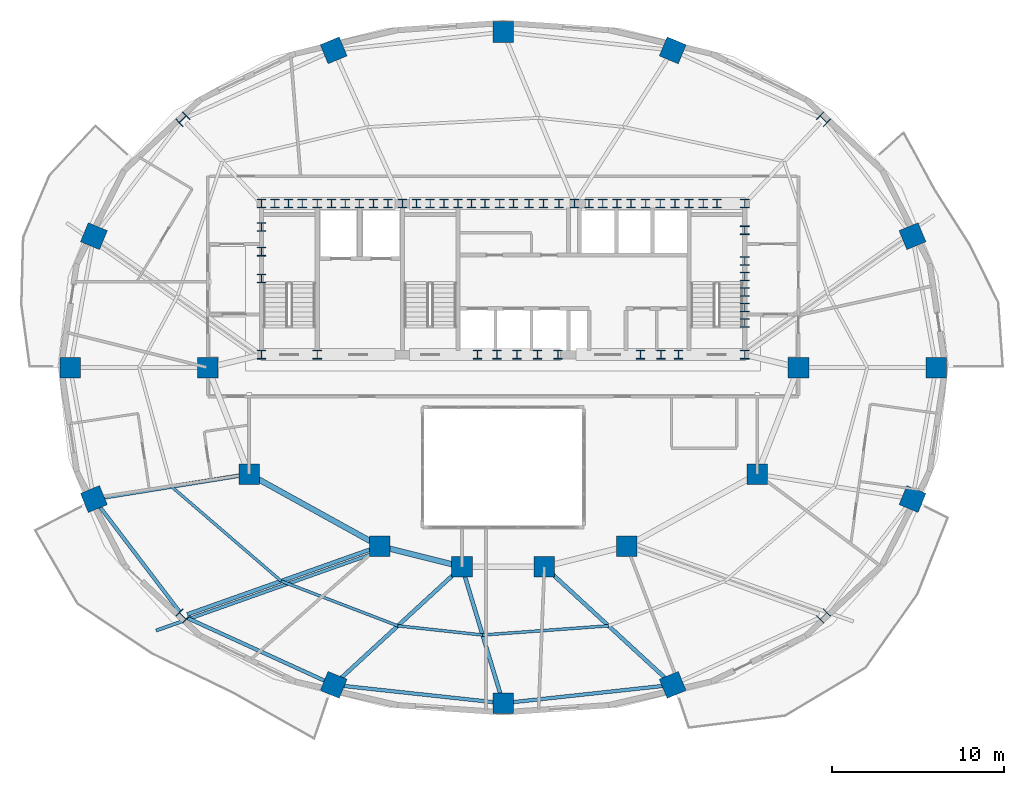
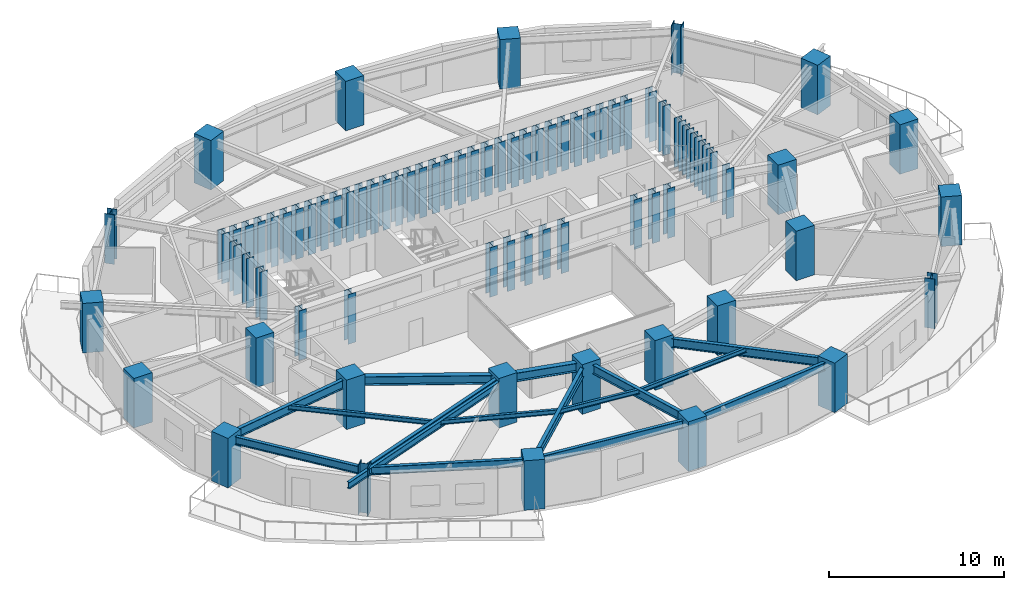
# One storey, part 1 of 12: 78 columns, 16 beams.
"""IFC4 building model written with IfcOpenShell, lengths in metres."""

import ifcopenshell
import ifcopenshell.guid

model = None  # the IFC model being written
_history = None  # IfcOwnerHistory: only IFC2X3 demands one
_inside = {}  # id of a spatial element -> (the spatial element, [elements in it])
_under = {}  # id of a project, library or spatial element -> (it, [spatial elements below it])
_declared = {}  # id of a project -> (the project, [libraries it declares])
_typed = {}  # id of a type object -> (the type object, [elements of that type])
_made_of = {}  # id of a material, layer set ... -> (it, [elements and type objects made of it])


def new_model(schema):
    """Start an empty IFC model of exactly this schema.

    Asked for "IFC4X3", IfcOpenShell would pick the latest addendum, in which some entities
    have other attributes; the version numbers below select the first issue.
    IFC2X3 requires an IfcOwnerHistory on every rooted entity: one is made here for all.
    """
    global model, _history
    if schema == "IFC4X3":
        model = ifcopenshell.file(schema_version=(4, 3, 0, 0))
    else:
        model = ifcopenshell.file(schema=schema)
    _inside.clear()
    _under.clear()
    _declared.clear()
    _typed.clear()
    _made_of.clear()
    _history = None
    if model.schema == "IFC2X3":
        org = make("IfcOrganization", Name="unknown")
        user = make(
            "IfcPersonAndOrganization",
            ThePerson=make("IfcPerson", FamilyName="unknown"),
            TheOrganization=org,
        )
        app = make(
            "IfcApplication",
            ApplicationDeveloper=org,
            Version="unknown",
            ApplicationFullName="unknown",
            ApplicationIdentifier="unknown",
        )
        _history = make(
            "IfcOwnerHistory",
            OwningUser=user,
            OwningApplication=app,
            ChangeAction="ADDED",
            CreationDate=0,
        )
    return model


def make(cls, **values):
    """One entity of the class cls with the attributes given. An attribute that is None is left unset."""
    return model.create_entity(
        cls, **{name: value for name, value in values.items() if value is not None}
    )


def rooted(cls, **values):
    """An entity with a GlobalId (a new one), such as an element, a storey or a relation."""
    return make(cls, GlobalId=ifcopenshell.guid.new(), OwnerHistory=_history, **values)


def si_unit(unit_type, name, prefix=None):
    """IfcSIUnit, for example si_unit("LENGTHUNIT", "METRE", prefix="MILLI")."""
    return make("IfcSIUnit", UnitType=unit_type, Prefix=prefix, Name=name)


def assignment(units):
    """IfcUnitAssignment: the units of a project."""
    return None if units is None else make("IfcUnitAssignment", Units=units)


def point(xyz):
    """IfcCartesianPoint."""
    return None if xyz is None else make("IfcCartesianPoint", Coordinates=xyz)


def direction(xyz):
    """IfcDirection."""
    return None if xyz is None else make("IfcDirection", DirectionRatios=xyz)


def frame(location, z_axis=None, x_axis=None):
    """IfcAxis2Placement3D, a coordinate frame: its origin and axes. An axis left out is left unset."""
    return make(
        "IfcAxis2Placement3D",
        Location=point(location),
        Axis=direction(z_axis),
        RefDirection=direction(x_axis),
    )


def frame_2d(location, x_axis=None):
    """IfcAxis2Placement2D, a coordinate frame in the plane: its origin and x axis."""
    return make(
        "IfcAxis2Placement2D", Location=point(location), RefDirection=direction(x_axis)
    )


def origin():
    """The frame at (0, 0, 0) with its axes left unset."""
    return frame((0.0, 0.0, 0.0))


def origin_2d():
    """The frame at (0, 0) in the plane with its x axis left unset."""
    return frame_2d((0.0, 0.0))


def place(relative_to, where):
    """IfcLocalPlacement: puts the frame where relative to a parent placement (None: the world)."""
    return make(
        "IfcLocalPlacement", PlacementRelTo=relative_to, RelativePlacement=where
    )


def context(
    kind, dimensions, precision=None, world=None, true_north=None, identifier=None
):
    """IfcGeometricRepresentationContext, for example the 3D "Model" context."""
    return make(
        "IfcGeometricRepresentationContext",
        ContextIdentifier=identifier,
        ContextType=kind,
        CoordinateSpaceDimension=dimensions,
        Precision=precision,
        WorldCoordinateSystem=world,
        TrueNorth=true_north,
    )


def subcontext(parent, identifier, kind, view, scale=None):
    """IfcGeometricRepresentationSubContext, for example "Body" below "Model"."""
    return make(
        "IfcGeometricRepresentationSubContext",
        ContextIdentifier=identifier,
        ContextType=kind,
        ParentContext=parent,
        TargetScale=scale,
        TargetView=view,
    )


def project(units=None, contexts=None):
    """IfcProject with its units and contexts."""
    return rooted(
        "IfcProject",
        Name="project",
        RepresentationContexts=contexts,
        UnitsInContext=assignment(units),
    )


def spatial(cls, under=None, at=None, **own):
    """A site, building, storey or space (cls), placed at a placement, below another one or the project."""
    s = rooted(cls, ObjectPlacement=at, **own)
    if under is not None:
        _under.setdefault(under.id(), (under, []))[1].append(s)
    return s


def profile(cls, at=None, kind="AREA", **sizes):
    """A parametric profile (cls). Its sizes go by their IFC names, for example OverallWidth=200.0."""
    return make(cls, ProfileType=kind, Position=at, **sizes)


def rectangle(**sizes):
    """IfcRectangleProfileDef."""
    return profile("IfcRectangleProfileDef", **sizes)


def i_section(**sizes):
    """IfcIShapeProfileDef."""
    return profile("IfcIShapeProfileDef", **sizes)


def extrude(swept, where, along, depth):
    """IfcExtrudedAreaSolid: the profile swept, set in the frame where, extruded along a direction by depth."""
    return make(
        "IfcExtrudedAreaSolid",
        SweptArea=swept,
        Position=where,
        ExtrudedDirection=direction(along),
        Depth=depth,
    )


def shape(context_of_items, identifier, shape_type, items):
    """IfcShapeRepresentation: the items that make up one representation, for example the "Body"."""
    return make(
        "IfcShapeRepresentation",
        ContextOfItems=context_of_items,
        RepresentationIdentifier=identifier,
        RepresentationType=shape_type,
        Items=items,
    )


def material(Name=None, Category=None):
    """IfcMaterial."""
    return make("IfcMaterial", Name=Name, Category=Category)


def material_profile(
    of_material, cross_section, Name=None, Category=None, Priority=None
):
    """IfcMaterialProfile: a cross section and its material."""
    return make(
        "IfcMaterialProfile",
        Name=Name,
        Material=of_material,
        Profile=cross_section,
        Priority=Priority,
        Category=Category,
    )


def profile_set(profiles, Name=None, composite=None):
    """IfcMaterialProfileSet."""
    return make(
        "IfcMaterialProfileSet",
        Name=Name,
        MaterialProfiles=profiles,
        CompositeProfile=composite,
    )


def made_of(thing, what):
    """Note that an element or type object is made of a material, layer set ...; save() writes the relation."""
    if what is not None:
        _made_of.setdefault(what.id(), (what, []))[1].append(thing)
    return thing


def type_object(cls, material=None, **own):
    """A type object (cls), such as IfcWallType, which elements share."""
    return made_of(rooted(cls, **own), material)


def element(
    cls,
    number,
    at=None,
    inside=None,
    cuts=None,
    type_object=None,
    material=None,
    context=None,
    identifier="Body",
    shape_type=None,
    held_by="IfcProductDefinitionShape",
    body=None,
    shapes=None,
    **own,
):
    """One element of the class cls, such as IfcWall. Its Tag is "e" and its number.

    at: its placement. inside: the storey or other place that contains it. cuts: it is an
    opening in that element (IfcRelVoidsElement). A single representation is given by context,
    identifier, shape_type and body (its items); several are given by shapes. held_by: the class
    of the entity that holds the representations. save() writes the other relations.
    """
    e = rooted(cls, Tag="e%d" % number, ObjectPlacement=at, **own)
    if body is not None:
        shapes = [shape(context, identifier, shape_type, body)]
    if shapes is not None:
        e.Representation = make(held_by, Representations=shapes)
    if inside is not None:
        _inside.setdefault(inside.id(), (inside, []))[1].append(e)
    if cuts is not None:
        rooted(
            "IfcRelVoidsElement", RelatingBuildingElement=cuts, RelatedOpeningElement=e
        )
    if type_object is not None:
        _typed.setdefault(type_object.id(), (type_object, []))[1].append(e)
    return made_of(e, material)


def aggregate(whole, parts):
    """IfcRelAggregates: a whole, such as a stair, and the parts it consists of."""
    return rooted("IfcRelAggregates", RelatingObject=whole, RelatedObjects=parts)


def save(model, path):
    """Write the relations noted so far, then the file.

    IfcRelAggregates (storeys below a building ...), IfcRelContainedInSpatialStructure (elements
    in a storey), IfcRelDefinesByType, IfcRelAssociatesMaterial and IfcRelDeclares: one each for
    every whole, place, type object, material and project.
    """
    for whole, parts in _under.values():
        aggregate(whole, parts)
    for where, things in _inside.values():
        rooted(
            "IfcRelContainedInSpatialStructure",
            RelatedElements=things,
            RelatingStructure=where,
        )
    for kind, things in _typed.values():
        rooted("IfcRelDefinesByType", RelatedObjects=things, RelatingType=kind)
    for what, things in _made_of.values():
        rooted("IfcRelAssociatesMaterial", RelatedObjects=things, RelatingMaterial=what)
    for by, libraries in _declared.values():
        rooted("IfcRelDeclares", RelatingContext=by, RelatedDefinitions=libraries)
    model.write(path)


model = new_model("IFC4")

# Units and contexts
model_context = context("Model", 3, precision=1e-05, world=origin(), true_north=direction((0.0, 1.0)))
body_context = subcontext(model_context, "Body", "Model", "MODEL_VIEW")
ifc_project = project(units=[si_unit("LENGTHUNIT", "METRE"), si_unit("AREAUNIT", "SQUARE_METRE"), si_unit("VOLUMEUNIT", "CUBIC_METRE"), si_unit("PLANEANGLEUNIT", "RADIAN"), si_unit("MASSUNIT", "GRAM", prefix="KILO")], contexts=[model_context])

# Site, building, storey
site_placement = place(None, origin())
site = spatial("IfcSite", under=ifc_project, at=site_placement, CompositionType="ELEMENT")
building_placement = place(site_placement, origin())
building = spatial("IfcBuilding", under=site, at=building_placement, Name="Haldorwick Loom Tower", CompositionType="ELEMENT")
storey_placement = place(building_placement, frame((0.0, 0.0, 154.449951171875)))
storey = spatial("IfcBuildingStorey", under=building, at=storey_placement, Name="L41", CompositionType="ELEMENT", Elevation=154.449951171875)

# Columns
ifc_material_1 = material(Name="Concrete C60 (60 MPa)", Category="concrete")
ifc_material_profile_1 = material_profile(ifc_material_1, rectangle(XDim=1.199951171875, YDim=1.199951171875, at=origin_2d()), Name="RC1200X1200", Category="concrete")
ifc_profile_set_1 = profile_set([ifc_material_profile_1], Name="Concrete C60 (60 MPa)")
column_type_1 = type_object("IfcColumnType", Name="STR-COL-RC1200", PredefinedType="COLUMN", material=ifc_profile_set_1)
for number, where, z_axis, x_axis, name in (
    (1, (53.199951171875, 26.0, 0.0), (0.0, 0.0, 1.0), (1.0, 0.0, 0.0), "L41 Inner Column IC-01"),
    (2, (50.800048828125, 19.800048828125, 0.0), (0.0, 0.0, 1.0), (1.0, 0.0, 0.0), "L41 Inner Column IC-02"),
    (3, (43.199951171875, 15.60009765625, 0.0), (0.0, 0.0, 1.0), (1.0, 0.0, 0.0), "L41 Inner Column IC-03"),
    (4, (38.39990234375, 14.39990234375, 0.0), (0.0, 0.0, 1.0), (1.0, 0.0, 0.0), "L41 Inner Column IC-04"),
    (5, (33.60009765625, 14.39990234375, 0.0), (0.0, 0.0, 1.0), (1.0, 0.0, 0.0), "L41 Inner Column IC-05"),
    (6, (28.800048828125, 15.60009765625, 0.0), (0.0, 0.0, 1.0), (1.0, 0.0, 0.0), "L41 Inner Column IC-06"),
    (7, (21.199951171875, 19.800048828125, 0.0), (0.0, 0.0, 1.0), (1.0, 0.0, 0.0), "L41 Inner Column IC-07"),
    (8, (18.800048828125, 26.0, 0.0), (0.0, 0.0, 1.0), (1.0, 0.0, 0.0), "L41 Inner Column IC-08"),
    (9, (61.217041015625, 26.0, 0.0), (0.0, 0.0, 1.0), (1.0, 0.0, 0.0), "L41 Perimeter Pier Column P01"),
    (10, (59.836181640625, 33.65380859375, 0.0), (0.0, 0.0, 1.0), (0.923879532511, 0.382683432365, 0.0), "L41 Perimeter Pier Column P02"),
    (11, (45.873291015625, 44.4775390625, 0.0), (0.0, 0.0, 1.0), (0.382683432365, 0.923879532511, 0.0), "L41 Perimeter Pier Column P04"),
    (12, (36.0, 45.544677734375, 0.0), (0.0, 0.0, 1.0), (0.0, 1.0, 0.0), "L41 Perimeter Pier Column P05"),
    (13, (26.126708984375, 44.4775390625, 0.0), (0.0, 0.0, 1.0), (-0.382683432365, 0.923879532511, 0.0), "L41 Perimeter Pier Column P06"),
    (14, (12.163818359375, 33.65380859375, 0.0), (0.0, 0.0, 1.0), (-0.923879532511, 0.382683432365, 0.0), "L41 Perimeter Pier Column P08"),
    (15, (10.782958984375, 26.0, 0.0), (0.0, 0.0, 1.0), (-1.0, 0.0, 0.0), "L41 Perimeter Pier Column P09"),
    (16, (12.163818359375, 18.34619140625, 0.0), (0.0, 0.0, 1.0), (-0.923879532511, -0.382683432365, 0.0), "L41 Perimeter Pier Column P10"),
    (17, (26.126708984375, 7.5224609375, 0.0), (0.0, 0.0, 1.0), (-0.382683432365, -0.923879532511, 0.0), "L41 Perimeter Pier Column P12"),
    (18, (36.0, 6.455322265625, 0.0), (0.0, 0.0, 1.0), (0.0, -1.0, 0.0), "L41 Perimeter Pier Column P13"),
    (19, (45.873291015625, 7.5224609375, 0.0), (0.0, 0.0, 1.0), (0.382683432365, -0.923879532511, 0.0), "L41 Perimeter Pier Column P14"),
    (20, (59.836181640625, 18.34619140625, 0.0), (0.0, 0.0, 1.0), (0.923879532511, -0.382683432365, 0.0), "L41 Perimeter Pier Column P16"),
):
    element("IfcColumn", number, at=place(storey_placement, frame(where, z_axis=z_axis, x_axis=x_axis)), inside=storey, type_object=column_type_1, Name=name, PredefinedType="COLUMN", context=body_context, shape_type="SweptSolid", body=[
        extrude(rectangle(XDim=1.199951171875, YDim=1.199951171875, at=origin_2d()), origin(), (0.0, 0.0, 1.0), 3.449951171875),
    ])
ifc_material_2 = material(Name="Steel CSA G40.21 350WT", Category="steel")
ifc_material_profile_2 = material_profile(ifc_material_2, i_section(OverallWidth=0.5, OverallDepth=0.5, WebThickness=0.02197265625, FlangeThickness=0.031982421875, at=origin_2d()), Name="WWF500X500", Category="steel")
ifc_profile_set_2 = profile_set([ifc_material_profile_2], Name="Steel CSA G40.21 350WT")
column_type_2 = type_object("IfcColumnType", Name="STR-COL-WWF500", PredefinedType="COLUMN", material=ifc_profile_set_2)
for number, where, z_axis, x_axis, name in (
    (21, (21.929931640625, 35.550048828125, 0.0), (0.0, 0.0, 1.0), (1.0, 0.0, 0.0), "L41 Core Pilaster CB-01"),
    (22, (23.5, 35.550048828125, 0.0), (0.0, 0.0, 1.0), (1.0, 0.0, 0.0), "L41 Core Pilaster CB-02"),
    (23, (25.169921875, 35.550048828125, 0.0), (0.0, 0.0, 1.0), (1.0, 0.0, 0.0), "L41 Core Pilaster CB-03"),
    (24, (26.800048828125, 35.550048828125, 0.0), (0.0, 0.0, 1.0), (1.0, 0.0, 0.0), "L41 Core Pilaster CB-04"),
    (25, (28.449951171875, 35.550048828125, 0.0), (0.0, 0.0, 1.0), (1.0, 0.0, 0.0), "L41 Core Pilaster CB-05"),
    (26, (30.1298828125, 35.550048828125, 0.0), (0.0, 0.0, 1.0), (1.0, 0.0, 0.0), "L41 Core Pilaster CB-06"),
    (27, (31.75, 35.550048828125, 0.0), (0.0, 0.0, 1.0), (1.0, 0.0, 0.0), "L41 Core Pilaster CB-07"),
    (28, (33.3701171875, 35.550048828125, 0.0), (0.0, 0.0, 1.0), (1.0, 0.0, 0.0), "L41 Core Pilaster CB-08"),
    (29, (34.949951171875, 35.550048828125, 0.0), (0.0, 0.0, 1.0), (1.0, 0.0, 0.0), "L41 Core Pilaster CB-09"),
    (30, (36.60009765625, 35.550048828125, 0.0), (0.0, 0.0, 1.0), (1.0, 0.0, 0.0), "L41 Core Pilaster CB-10"),
    (31, (38.35009765625, 35.550048828125, 0.0), (0.0, 0.0, 1.0), (1.0, 0.0, 0.0), "L41 Core Pilaster CB-11"),
    (32, (40.14990234375, 35.550048828125, 0.0), (0.0, 0.0, 1.0), (1.0, 0.0, 0.0), "L41 Core Pilaster CB-12"),
    (33, (41.800048828125, 35.550048828125, 0.0), (0.0, 0.0, 1.0), (1.0, 0.0, 0.0), "L41 Core Pilaster CB-13"),
    (34, (43.449951171875, 35.550048828125, 0.0), (0.0, 0.0, 1.0), (1.0, 0.0, 0.0), "L41 Core Pilaster CB-14"),
    (35, (45.14990234375, 35.550048828125, 0.0), (0.0, 0.0, 1.0), (1.0, 0.0, 0.0), "L41 Core Pilaster CB-15"),
    (36, (46.830078125, 35.550048828125, 0.0), (0.0, 0.0, 1.0), (1.0, 0.0, 0.0), "L41 Core Pilaster CB-16"),
    (37, (48.449951171875, 35.550048828125, 0.0), (0.0, 0.0, 1.0), (1.0, 0.0, 0.0), "L41 Core Pilaster CB-17"),
    (38, (50.070068359375, 35.550048828125, 0.0), (0.0, 0.0, 1.0), (1.0, 0.0, 0.0), "L41 Core Pilaster CB-18"),
    (39, (21.929931640625, 26.75, 0.0), (0.0, 0.0, 1.0), (1.0, 0.0, 0.0), "L41 Core Pilaster CB-19"),
    (40, (25.169921875, 26.75, 0.0), (0.0, 0.0, 1.0), (1.0, 0.0, 0.0), "L41 Core Pilaster CB-20"),
    (41, (34.5, 26.75, 0.0), (0.0, 0.0, 1.0), (1.0, 0.0, 0.0), "L41 Core Pilaster CB-21"),
    (42, (36.800048828125, 26.75, 0.0), (0.0, 0.0, 1.0), (1.0, 0.0, 0.0), "L41 Core Pilaster CB-22"),
    (43, (39.199951171875, 26.75, 0.0), (0.0, 0.0, 1.0), (1.0, 0.0, 0.0), "L41 Core Pilaster CB-23"),
    (44, (45.199951171875, 26.75, 0.0), (0.0, 0.0, 1.0), (1.0, 0.0, 0.0), "L41 Core Pilaster CB-24"),
    (45, (50.070068359375, 26.75, 0.0), (0.0, 0.0, 1.0), (1.0, 0.0, 0.0), "L41 Core Pilaster CB-25"),
    (46, (21.929931640625, 31.199951171875, 0.0), (0.0, 0.0, 1.0), (1.0, 0.0, 0.0), "L41 Core Pilaster CB-26"),
    (47, (21.929931640625, 32.75, 0.0), (0.0, 0.0, 1.0), (1.0, 0.0, 0.0), "L41 Core Pilaster CB-27"),
    (48, (21.929931640625, 34.199951171875, 0.0), (0.0, 0.0, 1.0), (1.0, 0.0, 0.0), "L41 Core Pilaster CB-28"),
    (49, (50.070068359375, 28.60009765625, 0.0), (0.0, 0.0, 1.0), (1.0, 0.0, 0.0), "L41 Core Pilaster CB-29"),
    (50, (50.070068359375, 30.39990234375, 0.0), (0.0, 0.0, 1.0), (1.0, 0.0, 0.0), "L41 Core Pilaster CB-30"),
    (51, (50.070068359375, 32.199951171875, 0.0), (0.0, 0.0, 1.0), (1.0, 0.0, 0.0), "L41 Core Pilaster CB-31"),
    (52, (50.070068359375, 34.0, 0.0), (0.0, 0.0, 1.0), (1.0, 0.0, 0.0), "L41 Core Pilaster CB-32"),
    (53, (22.699951171875, 35.550048828125, 0.0), (0.0, 0.0, 1.0), (1.0, 0.0, 0.0), "L41 Core Pilaster CB-33"),
    (54, (27.6201171875, 35.550048828125, 0.0), (0.0, 0.0, 1.0), (1.0, 0.0, 0.0), "L41 Core Pilaster CB-34"),
    (55, (32.550048828125, 35.550048828125, 0.0), (0.0, 0.0, 1.0), (1.0, 0.0, 0.0), "L41 Core Pilaster CB-35"),
    (56, (37.5, 35.550048828125, 0.0), (0.0, 0.0, 1.0), (1.0, 0.0, 0.0), "L41 Core Pilaster CB-36"),
    (57, (42.6201171875, 35.550048828125, 0.0), (0.0, 0.0, 1.0), (1.0, 0.0, 0.0), "L41 Core Pilaster CB-37"),
    (58, (47.64990234375, 35.550048828125, 0.0), (0.0, 0.0, 1.0), (1.0, 0.0, 0.0), "L41 Core Pilaster CB-38"),
    (59, (24.300048828125, 35.550048828125, 0.0), (0.0, 0.0, 1.0), (1.0, 0.0, 0.0), "L41 Core Pilaster CB-39"),
    (60, (26.0, 35.550048828125, 0.0), (0.0, 0.0, 1.0), (1.0, 0.0, 0.0), "L41 Core Pilaster CB-40"),
    (61, (29.300048828125, 35.550048828125, 0.0), (0.0, 0.0, 1.0), (1.0, 0.0, 0.0), "L41 Core Pilaster CB-41"),
    (62, (30.949951171875, 35.550048828125, 0.0), (0.0, 0.0, 1.0), (1.0, 0.0, 0.0), "L41 Core Pilaster CB-42"),
    (63, (34.14990234375, 35.550048828125, 0.0), (0.0, 0.0, 1.0), (1.0, 0.0, 0.0), "L41 Core Pilaster CB-43"),
    (64, (35.800048828125, 35.550048828125, 0.0), (0.0, 0.0, 1.0), (1.0, 0.0, 0.0), "L41 Core Pilaster CB-44"),
    (65, (39.25, 35.550048828125, 0.0), (0.0, 0.0, 1.0), (1.0, 0.0, 0.0), "L41 Core Pilaster CB-45"),
    (66, (41.0, 35.550048828125, 0.0), (0.0, 0.0, 1.0), (1.0, 0.0, 0.0), "L41 Core Pilaster CB-46"),
    (67, (44.300048828125, 35.550048828125, 0.0), (0.0, 0.0, 1.0), (1.0, 0.0, 0.0), "L41 Core Pilaster CB-47"),
    (68, (46.0, 35.550048828125, 0.0), (0.0, 0.0, 1.0), (1.0, 0.0, 0.0), "L41 Core Pilaster CB-48"),
    (69, (50.070068359375, 29.5, 0.0), (0.0, 0.0, 1.0), (1.0, 0.0, 0.0), "L41 Core Pilaster CB-49"),
    (70, (50.070068359375, 31.300048828125, 0.0), (0.0, 0.0, 1.0), (1.0, 0.0, 0.0), "L41 Core Pilaster CB-50"),
    (71, (35.64990234375, 26.75, 0.0), (0.0, 0.0, 1.0), (1.0, 0.0, 0.0), "L41 Core Pilaster CB-51"),
    (72, (38.0, 26.75, 0.0), (0.0, 0.0, 1.0), (1.0, 0.0, 0.0), "L41 Core Pilaster CB-52"),
    (73, (44.0, 26.75, 0.0), (0.0, 0.0, 1.0), (1.0, 0.0, 0.0), "L41 Core Pilaster CB-53"),
    (74, (46.199951171875, 26.75, 0.0), (0.0, 0.0, 1.0), (1.0, 0.0, 0.0), "L41 Core Pilaster CB-54"),
):
    element("IfcColumn", number, at=place(storey_placement, frame(where, z_axis=z_axis, x_axis=x_axis)), inside=storey, type_object=column_type_2, Name=name, PredefinedType="COLUMN", context=body_context, shape_type="SweptSolid", body=[
        extrude(i_section(OverallWidth=0.5, OverallDepth=0.5, WebThickness=0.02197265625, FlangeThickness=0.031982421875, at=origin_2d()), origin(), (0.0, 0.0, 1.0), 3.449951171875),
    ])
ifc_material_profile_3 = material_profile(ifc_material_2, i_section(OverallWidth=0.60009765625, OverallDepth=0.60009765625, WebThickness=0.02490234375, FlangeThickness=0.035888671875, at=origin_2d()), Name="WWF600X600", Category="steel")
ifc_profile_set_3 = profile_set([ifc_material_profile_3], Name="Steel CSA G40.21 350WT")
column_type_3 = type_object("IfcColumnType", Name="STR-COL-WWF600", PredefinedType="COLUMN", material=ifc_profile_set_3)
for number, where, z_axis, x_axis, name in (
    (75, (54.655517578125, 40.464111328125, 0.0), (0.0, 0.0, 1.0), (0.707106781187, 0.707106781187, 0.0), "L41 Perimeter Pier Column P03"),
    (76, (17.344482421875, 40.464111328125, 0.0), (0.0, 0.0, 1.0), (-0.707106781187, 0.707106781187, 0.0), "L41 Perimeter Pier Column P07"),
    (77, (17.344482421875, 11.535888671875, 0.0), (0.0, 0.0, 1.0), (-0.707106781187, -0.707106781187, 0.0), "L41 Perimeter Pier Column P11"),
    (78, (54.655517578125, 11.535888671875, 0.0), (0.0, 0.0, 1.0), (0.707106781187, -0.707106781187, 0.0), "L41 Perimeter Pier Column P15"),
):
    element("IfcColumn", number, at=place(storey_placement, frame(where, z_axis=z_axis, x_axis=x_axis)), inside=storey, type_object=column_type_3, Name=name, PredefinedType="COLUMN", context=body_context, shape_type="SweptSolid", body=[
        extrude(i_section(OverallWidth=0.60009765625, OverallDepth=0.60009765625, WebThickness=0.02490234375, FlangeThickness=0.035888671875, at=origin_2d()), origin(), (0.0, 0.0, 1.0), 3.449951171875),
    ])

# Beams
ifc_material_3 = material(Name="Steel CSA G40.21 350W", Category="steel")
ifc_material_profile_4 = material_profile(ifc_material_3, i_section(OverallWidth=0.193115234375, OverallDepth=0.466064453125, WebThickness=0.011474609375, FlangeThickness=0.01904296875, at=origin_2d()), Name="W460X97", Category="steel")
ifc_profile_set_4 = profile_set([ifc_material_profile_4], Name="Steel CSA G40.21 350W")
beam_type_1 = type_object("IfcBeamType", Name="STR-BM-BAL460", PredefinedType="BEAM", material=ifc_profile_set_4)
beam_1_placement = place(storey_placement, frame((28.403564453125, 15.162109375, 2.97705078125), z_axis=(-0.942447955832, -0.334352883266, 0.0), x_axis=(0.334352883266, -0.942447955832, 0.0)))
element("IfcBeam", 79, at=beam_1_placement, inside=storey, type_object=beam_type_1, Name="L41 Continuous Back-Spanned Balcony Beam 2", PredefinedType="BEAM", context=body_context, shape_type="SweptSolid", body=[
    extrude(i_section(OverallWidth=0.193115234375, OverallDepth=0.466064453125, WebThickness=0.011474609375, FlangeThickness=0.01904296875, at=origin_2d()), origin(), (0.0, 0.0, 1.0), 13.385009765625),
])
ifc_material_profile_5 = material_profile(ifc_material_3, i_section(OverallWidth=0.166015625, OverallDepth=0.31298828125, WebThickness=0.006591796875, FlangeThickness=0.01123046875, at=origin_2d()), Name="W310X45", Category="steel")
ifc_profile_set_5 = profile_set([ifc_material_profile_5], Name="Steel CSA G40.21 350W")
beam_type_2 = type_object("IfcBeamType", Name="STR-BM-J310", PredefinedType="JOIST", material=ifc_profile_set_5)
beam_2_placement = place(storey_placement, frame((16.681884765625, 19.072998046875, 3.053466796875), z_axis=(0.75763401328, -0.652679631918, 0.0), x_axis=(0.652679631918, 0.75763401328, 0.0)))
element("IfcBeam", 80, at=beam_2_placement, inside=storey, type_object=beam_type_2, Name="L41 Mid-Bay Secondary Joist 10", PredefinedType="JOIST", context=body_context, shape_type="SweptSolid", body=[
    extrude(i_section(OverallWidth=0.166015625, OverallDepth=0.31298828125, WebThickness=0.006591796875, FlangeThickness=0.01123046875, at=origin_2d()), origin(), (0.0, 0.0, 1.0), 8.4345703125),
])
beam_3_placement = place(storey_placement, frame((23.072265625, 13.56787109375, 3.053466796875), z_axis=(0.933586737031, -0.358351509609, 0.0), x_axis=(0.358351509609, 0.933586737031, 0.0)))
element("IfcBeam", 81, at=beam_3_placement, inside=storey, type_object=beam_type_2, Name="L41 Mid-Bay Secondary Joist 11", PredefinedType="JOIST", context=body_context, shape_type="SweptSolid", body=[
    extrude(i_section(OverallWidth=0.166015625, OverallDepth=0.31298828125, WebThickness=0.006591796875, FlangeThickness=0.01123046875, at=origin_2d()), origin(), (0.0, 0.0, 1.0), 7.274169921875),
])
beam_4_placement = place(storey_placement, frame((29.86328125, 10.961181640625, 3.053466796875), z_axis=(0.994212584227, -0.107430616514, 0.0), x_axis=(0.107430616514, 0.994212584227, 0.0)))
element("IfcBeam", 82, at=beam_4_placement, inside=storey, type_object=beam_type_2, Name="L41 Mid-Bay Secondary Joist 12", PredefinedType="JOIST", context=body_context, shape_type="SweptSolid", body=[
    extrude(i_section(OverallWidth=0.166015625, OverallDepth=0.31298828125, WebThickness=0.006591796875, FlangeThickness=0.01123046875, at=origin_2d()), origin(), (0.0, 0.0, 1.0), 4.965576171875),
])
beam_5_placement = place(storey_placement, frame((34.800048828125, 10.427734375, 3.053466796875), z_axis=(0.997367082818, 0.072518288109, 0.0), x_axis=(-0.072518288109, 0.997367082818, 0.0)))
element("IfcBeam", 83, at=beam_5_placement, inside=storey, type_object=beam_type_2, Name="L41 Mid-Bay Secondary Joist 13", PredefinedType="JOIST", context=body_context, shape_type="SweptSolid", body=[
    extrude(i_section(OverallWidth=0.166015625, OverallDepth=0.31298828125, WebThickness=0.006591796875, FlangeThickness=0.01123046875, at=origin_2d()), origin(), (0.0, 0.0, 1.0), 7.35595703125),
])
ifc_material_profile_6 = material_profile(ifc_material_3, i_section(OverallWidth=0.2119140625, OverallDepth=0.5439453125, WebThickness=0.01318359375, FlangeThickness=0.021240234375, at=origin_2d()), Name="W530X123", Category="steel")
ifc_profile_set_6 = profile_set([ifc_material_profile_6], Name="Steel CSA G40.21 350W")
beam_type_3 = type_object("IfcBeamType", Name="STR-BM-SP530", PredefinedType="SPANDREL", material=ifc_profile_set_6)
beam_6_placement = place(storey_placement, frame((12.478759765625, 17.932373046875, 2.93798828125), z_axis=(0.605421356486, -0.795905133236, 0.0), x_axis=(0.795905133236, 0.605421356486, 0.0)))
element("IfcBeam", 84, at=beam_6_placement, inside=storey, type_object=beam_type_3, Name="L41 Perimeter Spandrel 10", PredefinedType="SPANDREL", context=body_context, shape_type="SweptSolid", body=[
    extrude(i_section(OverallWidth=0.2119140625, OverallDepth=0.5439453125, WebThickness=0.01318359375, FlangeThickness=0.021240234375, at=origin_2d()), origin(), (0.0, 0.0, 1.0), 7.761962890625),
])
beam_7_placement = place(storey_placement, frame((17.594482421875, 11.42138671875, 2.93798828125), z_axis=(0.909534296496, -0.415628877121, 0.0), x_axis=(0.415628877121, 0.909534296496, 0.0)))
element("IfcBeam", 85, at=beam_7_placement, inside=storey, type_object=beam_type_3, Name="L41 Perimeter Spandrel 11", PredefinedType="SPANDREL", context=body_context, shape_type="SweptSolid", body=[
    extrude(i_section(OverallWidth=0.2119140625, OverallDepth=0.5439453125, WebThickness=0.01318359375, FlangeThickness=0.021240234375, at=origin_2d()), origin(), (0.0, 0.0, 1.0), 8.86083984375),
])
for number, where, z_axis, x_axis, name in (
    (86, (26.643798828125, 7.466552734375, 2.93798828125), (0.994210140187, -0.107453232386, 0.0), (0.107453232386, 0.994210140187, 0.0), "L41 Perimeter Spandrel 12"),
    (87, (36.51708984375, 6.51123046875, 2.93798828125), (0.994210140187, 0.107453232386, 0.0), (-0.107453232386, 0.994210140187, 0.0), "L41 Perimeter Spandrel 13"),
):
    element("IfcBeam", number, at=place(storey_placement, frame(where, z_axis=z_axis, x_axis=x_axis)), inside=storey, type_object=beam_type_3, Name=name, PredefinedType="SPANDREL", context=body_context, shape_type="SweptSolid", body=[
        extrude(i_section(OverallWidth=0.2119140625, OverallDepth=0.5439453125, WebThickness=0.01318359375, FlangeThickness=0.021240234375, at=origin_2d()), origin(), (0.0, 0.0, 1.0), 8.890625),
    ])
ifc_material_profile_7 = material_profile(ifc_material_3, i_section(OverallWidth=0.324951171875, OverallDepth=0.615966796875, WebThickness=0.013916015625, FlangeThickness=0.021484375, at=origin_2d()), Name="W610X174", Category="steel")
ifc_profile_set_7 = profile_set([ifc_material_profile_7], Name="Steel CSA G40.21 350W")
beam_type_4 = type_object("IfcBeamType", Name="STR-BM-W610A", PredefinedType="BEAM", material=ifc_profile_set_7)
beam_8_placement = place(storey_placement, frame((33.095458984375, 14.526123046875, 2.902099609375), z_axis=(-0.970142500145, 0.242535625036, 0.0), x_axis=(-0.242535625036, -0.970142500145, 0.0)))
element("IfcBeam", 88, at=beam_8_placement, inside=storey, type_object=beam_type_4, Name="L41 Inner Ring Girder 6", PredefinedType="BEAM", context=body_context, shape_type="SweptSolid", body=[
    extrude(i_section(OverallWidth=0.324951171875, OverallDepth=0.615966796875, WebThickness=0.013916015625, FlangeThickness=0.021484375, at=origin_2d()), origin(), (0.0, 0.0, 1.0), 3.90771484375),
])
beam_9_placement = place(storey_placement, frame((28.344970703125, 15.8515625, 2.902099609375), z_axis=(-0.875244382146, 0.483680960471, 0.0), x_axis=(-0.483680960471, -0.875244382146, 0.0)))
element("IfcBeam", 89, at=beam_9_placement, inside=storey, type_object=beam_type_4, Name="L41 Inner Ring Girder 7", PredefinedType="BEAM", context=body_context, shape_type="SweptSolid", body=[
    extrude(i_section(OverallWidth=0.324951171875, OverallDepth=0.615966796875, WebThickness=0.013916015625, FlangeThickness=0.021484375, at=origin_2d()), origin(), (0.0, 0.0, 1.0), 7.6435546875),
])
ifc_material_profile_8 = material_profile(ifc_material_3, i_section(OverallWidth=0.22998046875, OverallDepth=0.616943359375, WebThickness=0.01318359375, FlangeThickness=0.022216796875, at=origin_2d()), Name="W610X140", Category="steel")
ifc_profile_set_8 = profile_set([ifc_material_profile_8], Name="Steel CSA G40.21 350W")
beam_type_5 = type_object("IfcBeamType", Name="STR-BM-W610B", PredefinedType="BEAM", material=ifc_profile_set_8)
beam_10_placement = place(storey_placement, frame((20.6865234375, 19.71728515625, 2.901611328125), z_axis=(-0.987308639475, -0.158813256432, 0.0), x_axis=(0.158813256432, -0.987308639475, 0.0)))
element("IfcBeam", 90, at=beam_10_placement, inside=storey, type_object=beam_type_5, Name="L41 Radial Floor Girder 10", PredefinedType="BEAM", context=body_context, shape_type="SweptSolid", body=[
    extrude(i_section(OverallWidth=0.22998046875, OverallDepth=0.616943359375, WebThickness=0.01318359375, FlangeThickness=0.022216796875, at=origin_2d()), origin(), (0.0, 0.0, 1.0), 8.1123046875),
])
beam_11_placement = place(storey_placement, frame((28.309814453125, 15.426025390625, 2.901611328125), z_axis=(-0.9424463153, -0.334357507433, 0.0), x_axis=(0.334357507433, -0.9424463153, 0.0)))
element("IfcBeam", 91, at=beam_11_placement, inside=storey, type_object=beam_type_5, Name="L41 Radial Floor Girder 11", PredefinedType="BEAM", context=body_context, shape_type="SweptSolid", body=[
    extrude(i_section(OverallWidth=0.22998046875, OverallDepth=0.616943359375, WebThickness=0.01318359375, FlangeThickness=0.022216796875, at=origin_2d()), origin(), (0.0, 0.0, 1.0), 11.360107421875),
])
beam_12_placement = place(storey_placement, frame((33.21728515625, 14.0478515625, 2.901611328125), z_axis=(-0.735810902934, -0.677187060658, 0.0), x_axis=(0.677187060658, -0.735810902934, 0.0)))
element("IfcBeam", 92, at=beam_12_placement, inside=storey, type_object=beam_type_5, Name="L41 Radial Floor Girder 12", PredefinedType="BEAM", context=body_context, shape_type="SweptSolid", body=[
    extrude(i_section(OverallWidth=0.22998046875, OverallDepth=0.616943359375, WebThickness=0.01318359375, FlangeThickness=0.022216796875, at=origin_2d()), origin(), (0.0, 0.0, 1.0), 9.1162109375),
])
beam_13_placement = place(storey_placement, frame((33.75048828125, 13.902099609375, 2.901611328125), z_axis=(0.28917091681, -0.957277483738, 0.0), x_axis=(0.957277483738, 0.28917091681, 0.0)))
element("IfcBeam", 93, at=beam_13_placement, inside=storey, type_object=beam_type_5, Name="L41 Radial Floor Girder 13", PredefinedType="BEAM", context=body_context, shape_type="SweptSolid", body=[
    extrude(i_section(OverallWidth=0.22998046875, OverallDepth=0.616943359375, WebThickness=0.01318359375, FlangeThickness=0.022216796875, at=origin_2d()), origin(), (0.0, 0.0, 1.0), 7.259033203125),
])
beam_14_placement = place(storey_placement, frame((38.78271484375, 14.0478515625, 2.901611328125), z_axis=(0.735810902934, -0.677187060658, 0.0), x_axis=(0.677187060658, 0.735810902934, 0.0)))
element("IfcBeam", 94, at=beam_14_placement, inside=storey, type_object=beam_type_5, Name="L41 Radial Floor Girder 14", PredefinedType="BEAM", context=body_context, shape_type="SweptSolid", body=[
    extrude(i_section(OverallWidth=0.22998046875, OverallDepth=0.616943359375, WebThickness=0.01318359375, FlangeThickness=0.022216796875, at=origin_2d()), origin(), (0.0, 0.0, 1.0), 9.1162109375),
])

save(model, "model.ifc")
